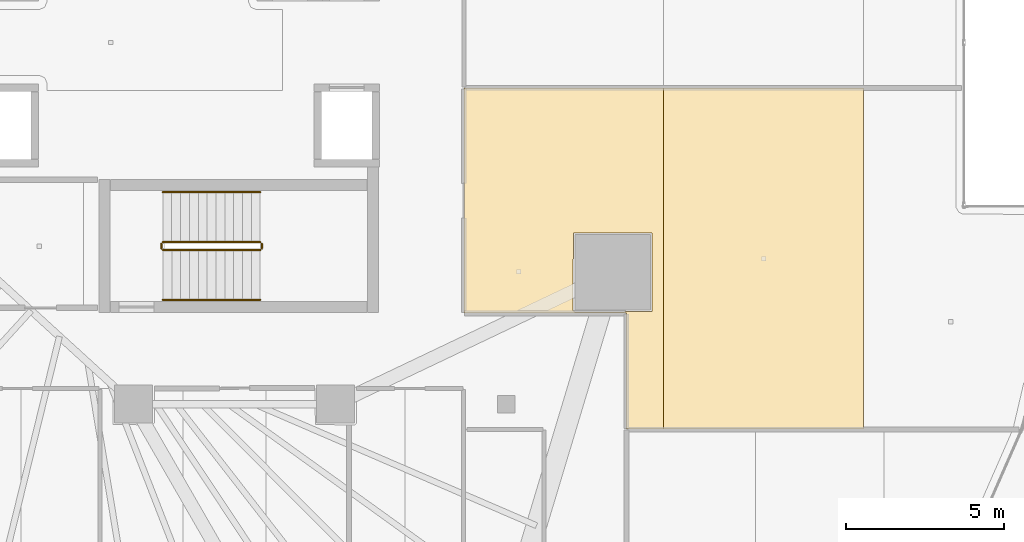
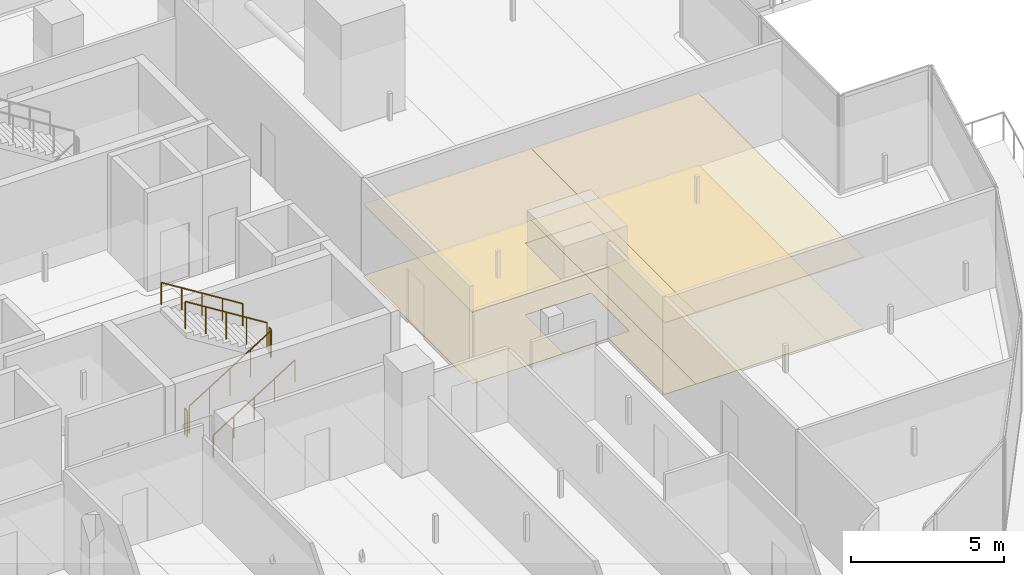
# One storey, part 42 of 47: 6 railings, 4 coverings.
"""IFC4 building model written with IfcOpenShell, lengths in metres."""

from ifc_helpers import new_model, si_unit, direction, frame, origin, origin_2d, place, context, subcontext, project, spatial, polyline, circle, outline, extrude, material, layer, layer_set, type_object, element, save


model = new_model("IFC4")

# Units and contexts
model_context = context("Model", 3, precision=1e-05, world=origin(), true_north=direction((0.0, 1.0)))
body_context = subcontext(model_context, "Body", "Model", "MODEL_VIEW")
ifc_project = project(units=[si_unit("LENGTHUNIT", "METRE"), si_unit("AREAUNIT", "SQUARE_METRE"), si_unit("VOLUMEUNIT", "CUBIC_METRE"), si_unit("PLANEANGLEUNIT", "RADIAN"), si_unit("MASSUNIT", "GRAM", prefix="KILO")], contexts=[model_context])

# Site, building, storey
site_placement = place(None, origin())
site = spatial("IfcSite", under=ifc_project, at=site_placement, CompositionType="ELEMENT")
building_placement = place(site_placement, origin())
building = spatial("IfcBuilding", under=site, at=building_placement, Name="Qorvath Tower", CompositionType="ELEMENT")
storey_placement = place(building_placement, frame((0.0, 0.0, 74.39990234375)))
storey = spatial("IfcBuildingStorey", under=building, at=storey_placement, Name="L16", CompositionType="ELEMENT", Elevation=74.39990234375)

# Coverings
ifc_material_1 = material(Name="Acoustic mineral fibre ceiling tile", Category="gypsum")
ifc_layer_1 = layer(ifc_material_1, 0.030029296875)
ifc_layer_set_1 = layer_set([ifc_layer_1], Name="COV-CEIL")
covering_type_1 = type_object("IfcCoveringType", Name="COV-CEIL", PredefinedType="CEILING", material=ifc_layer_set_1)
covering_1_placement = place(storey_placement, frame((0.0, 0.0, 2.85009765625)))
element("IfcCovering", 1, at=covering_1_placement, inside=storey, type_object=covering_type_1, Name="L16 Suspended Acoustic Ceiling 029", PredefinedType="CEILING", context=body_context, shape_type="SweptSolid", body=[
    extrude(outline(polyline([(-6.814208984375, -12.236328125), (-6.814208984375, -1.4462890625), (-13.136962890625, -1.4462890625), (-13.136962890625, -8.56689453125), (-7.988525390625, -8.568359375), (-7.987060546875, -12.236328125), (-6.814208984375, -12.236328125)]), holes=[polyline([(-9.690185546875, -8.476318359375), (-9.672607421875, -6.033935546875), (-7.18798828125, -6.033935546875), (-7.18798828125, -8.518798828125), (-9.63037109375, -8.536376953125), (-9.690185546875, -8.476318359375)])]), origin(), (0.0, 0.0, 1.0), 0.030029296875),
])
covering_2_placement = place(storey_placement, frame((0.0, 0.0, 2.85009765625)))
element("IfcCovering", 2, at=covering_2_placement, inside=storey, type_object=covering_type_1, Name="L16 Suspended Acoustic Ceiling 030", PredefinedType="CEILING", context=body_context, shape_type="SweptSolid", body=[
    extrude(outline(polyline([(-0.491455078125, -12.236328125), (-0.491455078125, -1.4462890625), (-6.814208984375, -1.4462890625), (-6.814208984375, -12.236328125), (-0.491455078125, -12.236328125)])), origin(), (0.0, 0.0, 1.0), 0.030029296875),
])
ifc_material_2 = material(Name="Low-VOC modular carpet tile", Category="textile")
ifc_layer_2 = layer(ifc_material_2, 0.014892578125)
ifc_layer_set_2 = layer_set([ifc_layer_2], Name="COV-FLOOR-CPT")
covering_type_2 = type_object("IfcCoveringType", Name="COV-FLOOR-CPT", PredefinedType="FLOORING", material=ifc_layer_set_2)
covering_3_placement = place(storey_placement, origin())
element("IfcCovering", 3, at=covering_3_placement, inside=storey, type_object=covering_type_2, Name="L16 Floor Finish 029", PredefinedType="FLOORING", context=body_context, shape_type="SweptSolid", body=[
    extrude(outline(polyline([(-6.814208984375, -12.236328125), (-6.814208984375, -1.4462890625), (-13.136962890625, -1.4462890625), (-13.136962890625, -8.56689453125), (-7.988525390625, -8.568359375), (-7.987060546875, -12.236328125), (-6.814208984375, -12.236328125)]), holes=[polyline([(-9.690185546875, -8.476318359375), (-9.672607421875, -6.033935546875), (-7.18798828125, -6.033935546875), (-7.18798828125, -8.518798828125), (-9.63037109375, -8.536376953125), (-9.690185546875, -8.476318359375)])]), origin(), (0.0, 0.0, 1.0), 0.01513671875),
])
covering_4_placement = place(storey_placement, origin())
element("IfcCovering", 4, at=covering_4_placement, inside=storey, type_object=covering_type_2, Name="L16 Floor Finish 030", PredefinedType="FLOORING", context=body_context, shape_type="SweptSolid", body=[
    extrude(outline(polyline([(-0.491455078125, -12.236328125), (-0.491455078125, -1.4462890625), (-6.814208984375, -1.4462890625), (-6.814208984375, -12.236328125), (-0.491455078125, -12.236328125)])), origin(), (0.0, 0.0, 1.0), 0.01513671875),
])

# Railings
ifc_material_3 = material(Name="Painted galvanised steel", Category="steel")
railing_type_1 = type_object("IfcRailingType", Name="RL-STR-GRD", PredefinedType="GUARDRAIL", material=ifc_material_3)
railing_1_placement = place(storey_placement, frame((-22.669921875, -6.570068359375, 0.175048828125)))
element("IfcRailing", 5, at=railing_1_placement, inside=storey, type_object=railing_type_1, Name="L16 TS2 stair guard 1", PredefinedType="GUARDRAIL", context=body_context, shape_type="SweptSolid", body=[
    extrude(circle(Radius=0.02392578125, at=origin_2d()), frame((0.0, 0.0, 1.076171875), z_axis=(0.847979421464, 0.0, 0.530029150871), x_axis=(0.0, 1.0, 0.0)), (0.0, 0.0, 1.0), 3.632080078125),
    extrude(circle(Radius=0.02099609375, at=origin_2d()), origin(), (0.0, 0.0, 1.0), 1.052001953125),
    extrude(circle(Radius=0.02099609375, at=origin_2d()), frame((0.77001953125, 0.0, 0.481201171875)), (0.0, 0.0, 1.0), 1.052001953125),
    extrude(circle(Radius=0.02099609375, at=origin_2d()), frame((1.5400390625, 0.0, 0.96240234375)), (0.0, 0.0, 1.0), 1.052001953125),
    extrude(circle(Radius=0.02099609375, at=origin_2d()), frame((2.309814453125, 0.0, 1.44384765625)), (0.0, 0.0, 1.0), 1.052001953125),
    extrude(circle(Radius=0.02099609375, at=origin_2d()), frame((3.079833984375, 0.0, 1.925048828125)), (0.0, 0.0, 1.0), 1.052001953125),
])
railing_2_placement = place(storey_placement, frame((-19.5400390625, -6.52001953125, 2.10009765625)))
element("IfcRailing", 6, at=railing_2_placement, inside=storey, type_object=railing_type_1, Name="L16 TS2 stair guard 2", PredefinedType="GUARDRAIL", context=body_context, shape_type="SweptSolid", body=[
    extrude(circle(Radius=0.02392578125, at=origin_2d()), frame((0.0, 0.0, 1.076171875), z_axis=(0.0, 1.0, 0.0), x_axis=(-1.0, 0.0, 0.0)), (0.0, 0.0, 1.0), 0.14990234375),
    extrude(circle(Radius=0.02099609375, at=origin_2d()), origin(), (0.0, 0.0, 1.0), 1.052001953125),
    extrude(circle(Radius=0.02099609375, at=origin_2d()), frame((0.0, 0.14990234375, 0.0)), (0.0, 0.0, 1.0), 1.052001953125),
])
railing_3_placement = place(storey_placement, frame((-19.590087890625, -6.320068359375, 2.275146484375)))
element("IfcRailing", 7, at=railing_3_placement, inside=storey, type_object=railing_type_1, Name="L16 TS2 stair guard 3", PredefinedType="GUARDRAIL", context=body_context, shape_type="SweptSolid", body=[
    extrude(circle(Radius=0.02392578125, at=origin_2d()), frame((0.0, 0.0, 1.076171875), z_axis=(-0.847979421464, 0.0, 0.530029150871), x_axis=(0.0, -1.0, 0.0)), (0.0, 0.0, 1.0), 3.632080078125),
    extrude(circle(Radius=0.02099609375, at=origin_2d()), origin(), (0.0, 0.0, 1.0), 1.052001953125),
    extrude(circle(Radius=0.02099609375, at=origin_2d()), frame((-0.77001953125, 0.0, 0.481201171875)), (0.0, 0.0, 1.0), 1.052001953125),
    extrude(circle(Radius=0.02099609375, at=origin_2d()), frame((-1.5400390625, 0.0, 0.96240234375)), (0.0, 0.0, 1.0), 1.052001953125),
    extrude(circle(Radius=0.02099609375, at=origin_2d()), frame((-2.309814453125, 0.0, 1.44384765625)), (0.0, 0.0, 1.0), 1.052001953125),
    extrude(circle(Radius=0.02099609375, at=origin_2d()), frame((-3.079833984375, 0.0, 1.925048828125)), (0.0, 0.0, 1.0), 1.052001953125),
])
railing_4_placement = place(storey_placement, frame((-22.719970703125, -6.52001953125, 0.0)))
element("IfcRailing", 8, at=railing_4_placement, inside=storey, type_object=railing_type_1, Name="L16 TS2 stair guard 4", PredefinedType="GUARDRAIL", context=body_context, shape_type="SweptSolid", body=[
    extrude(circle(Radius=0.02392578125, at=origin_2d()), frame((0.0, 0.0, 1.076171875), z_axis=(0.0, 1.0, 0.0), x_axis=(-1.0, 0.0, 0.0)), (0.0, 0.0, 1.0), 0.14990234375),
    extrude(circle(Radius=0.02099609375, at=origin_2d()), origin(), (0.0, 0.0, 1.0), 1.052001953125),
    extrude(circle(Radius=0.02099609375, at=origin_2d()), frame((0.0, 0.14990234375, 0.0)), (0.0, 0.0, 1.0), 1.052001953125),
])
ifc_material_4 = material(Name="Brushed stainless steel AISI 304", Category="steel")
railing_type_2 = type_object("IfcRailingType", Name="RL-STR-HND", PredefinedType="HANDRAIL", material=ifc_material_4)
railing_5_placement = place(storey_placement, frame((-22.669921875, -8.14990234375, 0.175048828125)))
element("IfcRailing", 9, at=railing_5_placement, inside=storey, type_object=railing_type_2, Name="L16 TS2 stair handrail 1", PredefinedType="HANDRAIL", context=body_context, shape_type="SweptSolid", body=[
    extrude(circle(Radius=0.02392578125, at=origin_2d()), frame((0.0, 0.0, 0.8759765625), z_axis=(0.847979421464, 0.0, 0.530029150871), x_axis=(0.0, 1.0, 0.0)), (0.0, 0.0, 1.0), 3.632080078125),
    extrude(circle(Radius=0.02099609375, at=origin_2d()), origin(), (0.0, 0.0, 1.0), 0.851806640625),
    extrude(circle(Radius=0.02099609375, at=origin_2d()), frame((0.77001953125, 0.0, 0.481201171875)), (0.0, 0.0, 1.0), 0.851806640625),
    extrude(circle(Radius=0.02099609375, at=origin_2d()), frame((1.5400390625, 0.0, 0.96240234375)), (0.0, 0.0, 1.0), 0.851806640625),
    extrude(circle(Radius=0.02099609375, at=origin_2d()), frame((2.309814453125, 0.0, 1.44384765625)), (0.0, 0.0, 1.0), 0.851806640625),
    extrude(circle(Radius=0.02099609375, at=origin_2d()), frame((3.079833984375, 0.0, 1.925048828125)), (0.0, 0.0, 1.0), 0.851806640625),
])
railing_6_placement = place(storey_placement, frame((-19.590087890625, -4.739990234375, 2.275146484375)))
element("IfcRailing", 10, at=railing_6_placement, inside=storey, type_object=railing_type_2, Name="L16 TS2 stair handrail 2", PredefinedType="HANDRAIL", context=body_context, shape_type="SweptSolid", body=[
    extrude(circle(Radius=0.02392578125, at=origin_2d()), frame((0.0, 0.0, 0.8759765625), z_axis=(-0.847979421464, 0.0, 0.530029150871), x_axis=(0.0, -1.0, 0.0)), (0.0, 0.0, 1.0), 3.632080078125),
    extrude(circle(Radius=0.02099609375, at=origin_2d()), origin(), (0.0, 0.0, 1.0), 0.851806640625),
    extrude(circle(Radius=0.02099609375, at=origin_2d()), frame((-0.77001953125, 0.0, 0.481201171875)), (0.0, 0.0, 1.0), 0.851806640625),
    extrude(circle(Radius=0.02099609375, at=origin_2d()), frame((-1.5400390625, 0.0, 0.96240234375)), (0.0, 0.0, 1.0), 0.851806640625),
    extrude(circle(Radius=0.02099609375, at=origin_2d()), frame((-2.309814453125, 0.0, 1.44384765625)), (0.0, 0.0, 1.0), 0.851806640625),
    extrude(circle(Radius=0.02099609375, at=origin_2d()), frame((-3.079833984375, 0.0, 1.925048828125)), (0.0, 0.0, 1.0), 0.851806640625),
])

save(model, "model.ifc")
